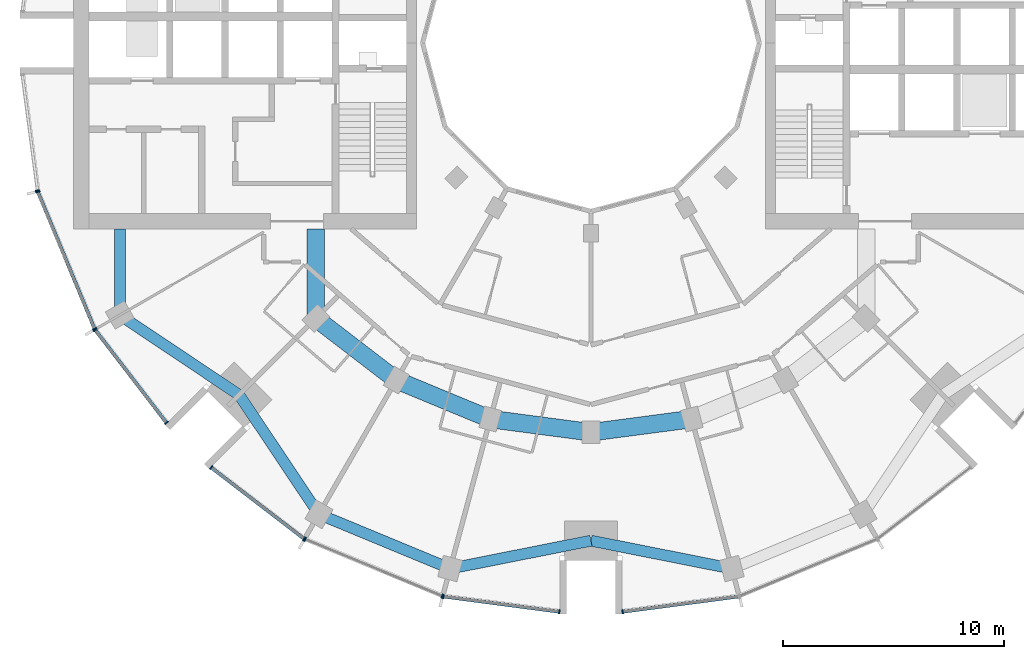
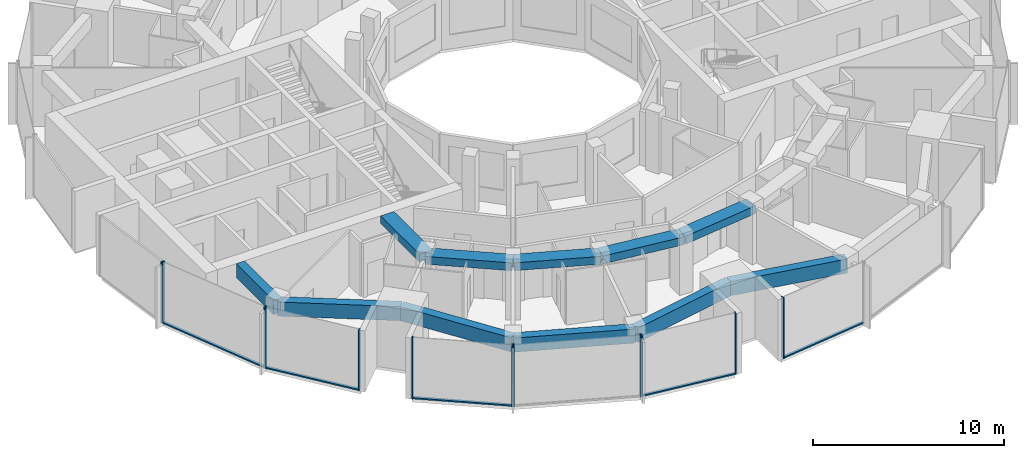
# One storey, part 2 of 15: 17 members, 11 beams, 7 elements without a shape of their own.
"""IFC4 building model written with IfcOpenShell, lengths in metres."""

from ifc_helpers import new_model, si_unit, direction, frame, origin, origin_2d, place, context, subcontext, project, spatial, rectangle, extrude, material, layer, layer_set, material_profile, profile_set, type_object, element, aggregate, save


model = new_model("IFC4")

# Units and contexts
model_context = context("Model", 3, precision=1e-05, world=origin(), true_north=direction((0.0, 1.0)))
body_context = subcontext(model_context, "Body", "Model", "MODEL_VIEW")
ifc_project = project(units=[si_unit("LENGTHUNIT", "METRE"), si_unit("AREAUNIT", "SQUARE_METRE"), si_unit("VOLUMEUNIT", "CUBIC_METRE"), si_unit("PLANEANGLEUNIT", "RADIAN"), si_unit("MASSUNIT", "GRAM", prefix="KILO")], contexts=[model_context])

# Site, building, storey
site_placement = place(None, origin())
site = spatial("IfcSite", under=ifc_project, at=site_placement, CompositionType="ELEMENT")
building_placement = place(site_placement, origin())
building = spatial("IfcBuilding", under=site, at=building_placement, Name="Torre Brocal", CompositionType="ELEMENT")
storey_placement = place(building_placement, frame((0.0, 0.0, 114.60009765625)))
storey = spatial("IfcBuildingStorey", under=building, at=storey_placement, Name="L26", CompositionType="ELEMENT", Elevation=114.60009765625)

# Curtain wall, members
ifc_material_1 = material(Name="Aluminium and glass", Category="aluminium")
ifc_layer_1 = layer(ifc_material_1, 0.199951171875)
ifc_layer_set_1 = layer_set([ifc_layer_1], Name="Aluminium and glass")
curtain_wall_type_1 = type_object("IfcCurtainWallType", Name="CW-1 CURTAIN WALL 3900 HIGH", PredefinedType="NOTDEFINED", material=ifc_layer_set_1)
curtain_wall_1_placement = place(storey_placement, origin())
curtain_wall_1 = element("IfcCurtainWall", 1, at=curtain_wall_1_placement, inside=storey, type_object=curtain_wall_type_1, Name="CW-1 RUN 14", PredefinedType="NOTDEFINED")
ifc_material_2 = material(Name="Aluminium, dark anodised", Category="aluminium")
ifc_material_profile_1 = material_profile(ifc_material_2, rectangle(XDim=0.199951171875, YDim=0.06005859375, at=origin_2d()), Name="CW-1 MULLION 60X200")
ifc_profile_set_1 = profile_set([ifc_material_profile_1], Name="Aluminium, dark anodised")
member_type_1 = type_object("IfcMemberType", Name="CW-1 MULLION 60X200", PredefinedType="MULLION", material=ifc_profile_set_1)
member_1_placement = place(storey_placement, frame((54.994873046875, 68.26904296875, 0.0), z_axis=(0.0, 0.0, 1.0), x_axis=(0.923879532525, 0.382683432333, 0.0)))
member_1 = element("IfcMember", 2, at=member_1_placement, type_object=member_type_1, Name="CW1-3 mullion 1", PredefinedType="MULLION", context=body_context, shape_type="SweptSolid", body=[
    extrude(rectangle(XDim=0.199951171875, YDim=0.06005859375, at=origin_2d()), origin(), (0.0, 0.0, 1.0), 3.89990234375),
])
member_2_placement = place(storey_placement, frame((57.559326171875, 62.078125, 0.0), z_axis=(0.0, 0.0, 1.0), x_axis=(0.923879532525, 0.382683432333, 0.0)))
member_2 = element("IfcMember", 3, at=member_2_placement, type_object=member_type_1, Name="CW1-3 mullion 2", PredefinedType="MULLION", context=body_context, shape_type="SweptSolid", body=[
    extrude(rectangle(XDim=0.199951171875, YDim=0.06005859375, at=origin_2d()), origin(), (0.0, 0.0, 1.0), 3.89990234375),
])

curtain_wall_2_placement = place(storey_placement, origin())
curtain_wall_2 = element("IfcCurtainWall", 4, at=curtain_wall_2_placement, inside=storey, type_object=curtain_wall_type_1, Name="CW-1 RUN 15", PredefinedType="NOTDEFINED")
member_3_placement = place(storey_placement, frame((57.5888671875, 62.026611328125, 0.0), z_axis=(0.0, 0.0, 1.0), x_axis=(0.793353340259, 0.60876142905, 0.0)))
member_3 = element("IfcMember", 5, at=member_3_placement, type_object=member_type_1, Name="CW1-3 mullion 1", PredefinedType="MULLION", context=body_context, shape_type="SweptSolid", body=[
    extrude(rectangle(XDim=0.199951171875, YDim=0.06005859375, at=origin_2d()), origin(), (0.0, 0.0, 1.0), 3.89990234375),
])
member_4_placement = place(storey_placement, frame((60.80859375, 57.83056640625, 0.0), z_axis=(0.0, 0.0, 1.0), x_axis=(0.793353340259, 0.60876142905, 0.0)))
member_4 = element("IfcMember", 6, at=member_4_placement, type_object=member_type_1, Name="CW1-3 mullion 2", PredefinedType="MULLION", context=body_context, shape_type="SweptSolid", body=[
    extrude(rectangle(XDim=0.199951171875, YDim=0.06005859375, at=origin_2d()), origin(), (0.0, 0.0, 1.0), 3.89990234375),
])

curtain_wall_3_placement = place(storey_placement, origin())
curtain_wall_3 = element("IfcCurtainWall", 7, at=curtain_wall_3_placement, inside=storey, type_object=curtain_wall_type_1, Name="CW-1 RUN 16", PredefinedType="NOTDEFINED")
member_5_placement = place(storey_placement, frame((62.83056640625, 55.80859375, 0.0), z_axis=(0.0, 0.0, 1.0), x_axis=(0.60876142905, 0.793353340259, 0.0)))
member_5 = element("IfcMember", 8, at=member_5_placement, type_object=member_type_1, Name="CW1-3 mullion 1", PredefinedType="MULLION", context=body_context, shape_type="SweptSolid", body=[
    extrude(rectangle(XDim=0.199951171875, YDim=0.06005859375, at=origin_2d()), origin(), (0.0, 0.0, 1.0), 3.89990234375),
])
member_6_placement = place(storey_placement, frame((67.026611328125, 52.5888671875, 0.0), z_axis=(0.0, 0.0, 1.0), x_axis=(0.60876142905, 0.793353340259, 0.0)))
member_6 = element("IfcMember", 9, at=member_6_placement, type_object=member_type_1, Name="CW1-3 mullion 2", PredefinedType="MULLION", context=body_context, shape_type="SweptSolid", body=[
    extrude(rectangle(XDim=0.199951171875, YDim=0.06005859375, at=origin_2d()), origin(), (0.0, 0.0, 1.0), 3.89990234375),
])

curtain_wall_4_placement = place(storey_placement, origin())
curtain_wall_4 = element("IfcCurtainWall", 10, at=curtain_wall_4_placement, inside=storey, type_object=curtain_wall_type_1, Name="CW-1 RUN 17", PredefinedType="NOTDEFINED")
member_7_placement = place(storey_placement, frame((67.078125, 52.559326171875, 0.0), z_axis=(0.0, 0.0, 1.0), x_axis=(0.382683432333, 0.923879532525, 0.0)))
member_7 = element("IfcMember", 11, at=member_7_placement, type_object=member_type_1, Name="CW1-3 mullion 1", PredefinedType="MULLION", context=body_context, shape_type="SweptSolid", body=[
    extrude(rectangle(XDim=0.199951171875, YDim=0.06005859375, at=origin_2d()), origin(), (0.0, 0.0, 1.0), 3.89990234375),
])
member_8_placement = place(storey_placement, frame((73.26904296875, 49.994873046875, 0.0), z_axis=(0.0, 0.0, 1.0), x_axis=(0.382683432333, 0.923879532525, 0.0)))
member_8 = element("IfcMember", 12, at=member_8_placement, type_object=member_type_1, Name="CW1-3 mullion 2", PredefinedType="MULLION", context=body_context, shape_type="SweptSolid", body=[
    extrude(rectangle(XDim=0.199951171875, YDim=0.06005859375, at=origin_2d()), origin(), (0.0, 0.0, 1.0), 3.89990234375),
])
aggregate(curtain_wall_4, [member_7, member_8])

curtain_wall_5_placement = place(storey_placement, origin())
curtain_wall_5 = element("IfcCurtainWall", 13, at=curtain_wall_5_placement, inside=storey, type_object=curtain_wall_type_1, Name="CW-1 RUN 18", PredefinedType="NOTDEFINED")
member_9_placement = place(storey_placement, frame((73.32666015625, 49.9794921875, 0.0), z_axis=(0.0, 0.0, 1.0), x_axis=(0.13052619222, 0.991444861374, 0.0)))
member_9 = element("IfcMember", 14, at=member_9_placement, type_object=member_type_1, Name="CW1-3 mullion 1", PredefinedType="MULLION", context=body_context, shape_type="SweptSolid", body=[
    extrude(rectangle(XDim=0.199951171875, YDim=0.06005859375, at=origin_2d()), origin(), (0.0, 0.0, 1.0), 3.89990234375),
])
member_10_placement = place(storey_placement, frame((78.5703125, 49.2890625, 0.0), z_axis=(0.0, 0.0, 1.0), x_axis=(0.13052619222, 0.991444861374, 0.0)))
member_10 = element("IfcMember", 15, at=member_10_placement, type_object=member_type_1, Name="CW1-3 mullion 2", PredefinedType="MULLION", context=body_context, shape_type="SweptSolid", body=[
    extrude(rectangle(XDim=0.199951171875, YDim=0.06005859375, at=origin_2d()), origin(), (0.0, 0.0, 1.0), 3.89990234375),
])

# Curtain wall, member
curtain_wall_6_placement = place(storey_placement, origin())
curtain_wall_6 = element("IfcCurtainWall", 16, at=curtain_wall_6_placement, inside=storey, type_object=curtain_wall_type_1, Name="CW-1 RUN 19", PredefinedType="NOTDEFINED")
member_11_placement = place(storey_placement, frame((81.4296875, 49.2890625, 0.0), z_axis=(0.0, 0.0, 1.0), x_axis=(-0.13052619222, 0.991444861374, 0.0)))
member_11 = element("IfcMember", 17, at=member_11_placement, type_object=member_type_1, Name="CW1-3 mullion 1", PredefinedType="MULLION", context=body_context, shape_type="SweptSolid", body=[
    extrude(rectangle(XDim=0.199951171875, YDim=0.06005859375, at=origin_2d()), origin(), (0.0, 0.0, 1.0), 3.89990234375),
])

# Member
ifc_material_3 = material(Name="Aluminium, dark anodised", Category="aluminium")
ifc_material_profile_2 = material_profile(ifc_material_3, rectangle(XDim=0.159912109375, YDim=0.080078125, at=origin_2d()), Name="CW-1 TRANSOM 160X80")
ifc_profile_set_2 = profile_set([ifc_material_profile_2], Name="Aluminium, dark anodised")
member_type_2 = type_object("IfcMemberType", Name="CW-1 TRANSOM 160X80", PredefinedType="USERDEFINED", material=ifc_profile_set_2)
member_12_placement = place(storey_placement, frame((55.00634765625, 68.241455078125, 0.039794921875), z_axis=(0.38266457234, -0.923887344364, 0.0), x_axis=(0.923887344364, 0.38266457234, 0.0)))
member_12 = element("IfcMember", 18, at=member_12_placement, type_object=member_type_2, Name="CW1-3 transom 1.1", ObjectType="TRANSOM", PredefinedType="USERDEFINED", context=body_context, shape_type="SweptSolid", body=[
    extrude(rectangle(XDim=0.159912109375, YDim=0.080078125, at=origin_2d()), origin(), (0.0, 0.0, 1.0), 6.640869140625),
])

aggregate(curtain_wall_1, [member_1, member_2, member_12])

member_13_placement = place(storey_placement, frame((57.607177734375, 62.0029296875, 0.039794921875), z_axis=(0.60874908096, -0.79336281513, 0.0), x_axis=(0.79336281513, 0.60874908096, 0.0)))
member_13 = element("IfcMember", 19, at=member_13_placement, type_object=member_type_2, Name="CW1-3 transom 1.1", ObjectType="TRANSOM", PredefinedType="USERDEFINED", context=body_context, shape_type="SweptSolid", body=[
    extrude(rectangle(XDim=0.159912109375, YDim=0.080078125, at=origin_2d()), origin(), (0.0, 0.0, 1.0), 5.22900390625),
])

aggregate(curtain_wall_2, [member_3, member_4, member_13])

member_14_placement = place(storey_placement, frame((62.8544921875, 55.790283203125, 0.039794921875), z_axis=(0.79336281513, -0.60874908096, 0.0), x_axis=(0.60874908096, 0.79336281513, 0.0)))
member_14 = element("IfcMember", 20, at=member_14_placement, type_object=member_type_2, Name="CW1-3 transom 1.1", ObjectType="TRANSOM", PredefinedType="USERDEFINED", context=body_context, shape_type="SweptSolid", body=[
    extrude(rectangle(XDim=0.159912109375, YDim=0.080078125, at=origin_2d()), origin(), (0.0, 0.0, 1.0), 5.22900390625),
])

aggregate(curtain_wall_3, [member_5, member_6, member_14])

member_15_placement = place(storey_placement, frame((73.356201171875, 49.9755859375, 0.039794921875), z_axis=(0.991442690863, -0.130542677827, 0.0), x_axis=(0.130542677827, 0.991442690863, 0.0)))
member_15 = element("IfcMember", 21, at=member_15_placement, type_object=member_type_2, Name="CW1-3 transom 1.1", ObjectType="TRANSOM", PredefinedType="USERDEFINED", context=body_context, shape_type="SweptSolid", body=[
    extrude(rectangle(XDim=0.159912109375, YDim=0.080078125, at=origin_2d()), origin(), (0.0, 0.0, 1.0), 5.22900390625),
])

aggregate(curtain_wall_5, [member_9, member_10, member_15])

member_16_placement = place(storey_placement, frame((81.45947265625, 49.29296875, 0.039794921875), z_axis=(0.991442690863, 0.130542677827, 0.0), x_axis=(-0.130542677827, 0.991442690863, 0.0)))
member_16 = element("IfcMember", 22, at=member_16_placement, type_object=member_type_2, Name="CW1-3 transom 1.1", ObjectType="TRANSOM", PredefinedType="USERDEFINED", context=body_context, shape_type="SweptSolid", body=[
    extrude(rectangle(XDim=0.159912109375, YDim=0.080078125, at=origin_2d()), origin(), (0.0, 0.0, 1.0), 5.22900390625),
])

aggregate(curtain_wall_6, [member_11, member_16])

# Curtain wall, member
ifc_material_4 = material(Name="Aluminium and glass", Category="aluminium")
ifc_layer_2 = layer(ifc_material_4, 0.199951171875)
ifc_layer_set_2 = layer_set([ifc_layer_2], Name="Aluminium and glass")
curtain_wall_type_2 = type_object("IfcCurtainWallType", Name="CW-1B CURTAIN WALL 3900 HIGH", PredefinedType="NOTDEFINED", material=ifc_layer_set_2)
curtain_wall_7_placement = place(storey_placement, origin())
curtain_wall_7 = element("IfcCurtainWall", 23, at=curtain_wall_7_placement, inside=storey, type_object=curtain_wall_type_2, Name="CW-1B RUN 13", PredefinedType="NOTDEFINED")
ifc_material_5 = material(Name="Aluminium, dark anodised", Category="aluminium")
ifc_material_profile_3 = material_profile(ifc_material_5, rectangle(XDim=0.199951171875, YDim=0.06005859375, at=origin_2d()), Name="CW-1B MULLION 60X200")
ifc_profile_set_3 = profile_set([ifc_material_profile_3], Name="Aluminium, dark anodised")
member_type_3 = type_object("IfcMemberType", Name="CW-1B MULLION 60X200", PredefinedType="MULLION", material=ifc_profile_set_3)
member_17_placement = place(storey_placement, frame((54.9794921875, 68.32666015625, 0.0), z_axis=(0.0, 0.0, 1.0), x_axis=(0.991444861374, 0.13052619222, 0.0)))
member_17 = element("IfcMember", 24, at=member_17_placement, type_object=member_type_3, Name="CW1B-3 mullion 2", PredefinedType="MULLION", context=body_context, shape_type="SweptSolid", body=[
    extrude(rectangle(XDim=0.199951171875, YDim=0.06005859375, at=origin_2d()), origin(), (0.0, 0.0, 1.0), 3.89990234375),
])
aggregate(curtain_wall_7, [member_17])

# Beams
ifc_material_6 = material(Name="Concrete C50", Category="concrete")
ifc_material_profile_4 = material_profile(ifc_material_6, rectangle(XDim=0.800048828125, YDim=0.5, at=origin_2d()), Name="RC 800X500")
ifc_profile_set_4 = profile_set([ifc_material_profile_4], Name="Concrete C50")
beam_type_1 = type_object("IfcBeamType", Name="RC BEAM 800X500 C50 TOP 3580", PredefinedType="BEAM", material=ifc_profile_set_4)
beam_1_placement = place(storey_placement, frame((67.554931640625, 62.554931640625, 3.329833984375), z_axis=(0.0, 1.0, 0.0), x_axis=(-1.0, 0.0, 0.0)))
element("IfcBeam", 25, at=beam_1_placement, inside=storey, type_object=beam_type_1, Name="Beam BT-28", PredefinedType="BEAM", context=body_context, shape_type="SweptSolid", body=[
    extrude(rectangle(XDim=0.800048828125, YDim=0.5, at=origin_2d()), origin(), (0.0, 0.0, 1.0), 4.045166015625),
])
beam_2_placement = place(storey_placement, frame((67.554931640625, 62.554931640625, 3.329833984375), z_axis=(0.793358265959, -0.6087550097, 0.0), x_axis=(0.6087550097, 0.793358265959, 0.0)))
element("IfcBeam", 26, at=beam_2_placement, inside=storey, type_object=beam_type_1, Name="Beam BT-28", PredefinedType="BEAM", context=body_context, shape_type="SweptSolid", body=[
    extrude(rectangle(XDim=0.800048828125, YDim=0.5, at=origin_2d()), origin(), (0.0, 0.0, 1.0), 4.594482421875),
])
beam_3_placement = place(storey_placement, frame((71.199951171875, 59.758056640625, 3.329833984375), z_axis=(0.923878240166, -0.382686552348, 0.0), x_axis=(0.382686552348, 0.923878240166, 0.0)))
element("IfcBeam", 27, at=beam_3_placement, inside=storey, type_object=beam_type_1, Name="Beam BT-28", PredefinedType="BEAM", context=body_context, shape_type="SweptSolid", body=[
    extrude(rectangle(XDim=0.800048828125, YDim=0.5, at=origin_2d()), origin(), (0.0, 0.0, 1.0), 4.5947265625),
])
for number, where, z_axis, x_axis, name in (
    (28, (75.44482421875, 57.999755859375, 3.329833984375), (0.991440544449, -0.130558978332, 0.0), (0.130558978332, 0.991440544449, 0.0), "Beam BT-28"),
    (29, (80.0, 57.39990234375, 3.329833984375), (0.991440544449, 0.130558978332, 0.0), (-0.130558978332, 0.991440544449, 0.0), "Beam BT-28"),
):
    element("IfcBeam", number, at=place(storey_placement, frame(where, z_axis=z_axis, x_axis=x_axis)), inside=storey, type_object=beam_type_1, Name=name, PredefinedType="BEAM", context=body_context, shape_type="SweptSolid", body=[
        extrude(rectangle(XDim=0.800048828125, YDim=0.5, at=origin_2d()), origin(), (0.0, 0.0, 1.0), 4.594482421875),
    ])
ifc_material_7 = material(Name="Concrete C50", Category="concrete")
ifc_material_profile_5 = material_profile(ifc_material_7, rectangle(XDim=0.5, YDim=0.89990234375, at=origin_2d()), Name="RC 500X900")
ifc_profile_set_5 = profile_set([ifc_material_profile_5], Name="Concrete C50")
beam_type_2 = type_object("IfcBeamType", Name="RC SPANDREL BEAM 500X900 C50 TOP 3580", PredefinedType="SPANDREL", material=ifc_profile_set_5)
beam_4_placement = place(storey_placement, frame((58.69580078125, 62.699951171875, 3.1298828125), z_axis=(0.0, 1.0, 0.0), x_axis=(-1.0, 0.0, 0.0)))
element("IfcBeam", 30, at=beam_4_placement, inside=storey, type_object=beam_type_2, Name="Beam BT-29", PredefinedType="SPANDREL", context=body_context, shape_type="SweptSolid", body=[
    extrude(rectangle(XDim=0.5, YDim=0.89990234375, at=origin_2d()), origin(), (0.0, 0.0, 1.0), 3.900146484375),
])
for number, where, z_axis, x_axis, name in (
    (31, (58.69580078125, 62.699951171875, 3.1298828125), (0.831076844476, -0.556157602282, 0.0), (0.556157602282, 0.831076844476, 0.0), "Beam BT-29"),
    (32, (64.090087890625, 59.090087890625, 3.1298828125), (0.556157602282, -0.831076844476, 0.0), (0.831076844476, 0.556157602282, 0.0), "Beam BT-29"),
):
    element("IfcBeam", number, at=place(storey_placement, frame(where, z_axis=z_axis, x_axis=x_axis)), inside=storey, type_object=beam_type_2, Name=name, PredefinedType="SPANDREL", context=body_context, shape_type="SweptSolid", body=[
        extrude(rectangle(XDim=0.5, YDim=0.89990234375, at=origin_2d()), origin(), (0.0, 0.0, 1.0), 6.49072265625),
    ])
beam_5_placement = place(storey_placement, frame((67.699951171875, 53.69580078125, 3.1298828125), z_axis=(0.923882462513, -0.382676358639, 0.0), x_axis=(0.382676358639, 0.923882462513, 0.0)))
element("IfcBeam", 33, at=beam_5_placement, inside=storey, type_object=beam_type_2, Name="Beam BT-29", PredefinedType="SPANDREL", context=body_context, shape_type="SweptSolid", body=[
    extrude(rectangle(XDim=0.5, YDim=0.89990234375, at=origin_2d()), origin(), (0.0, 0.0, 1.0), 6.421875),
])
for number, where, z_axis, x_axis, name in (
    (34, (73.633056640625, 51.23828125, 3.1298828125), (0.980924907484, 0.194387051723, 0.0), (-0.194387051723, 0.980924907484, 0.0), "Beam BT-29"),
    (35, (80.0, 52.5, 3.1298828125), (0.980924907484, -0.194387051723, 0.0), (0.194387051723, 0.980924907484, 0.0), "Beam BT-29"),
):
    element("IfcBeam", number, at=place(storey_placement, frame(where, z_axis=z_axis, x_axis=x_axis)), inside=storey, type_object=beam_type_2, Name=name, PredefinedType="SPANDREL", context=body_context, shape_type="SweptSolid", body=[
        extrude(rectangle(XDim=0.5, YDim=0.89990234375, at=origin_2d()), origin(), (0.0, 0.0, 1.0), 6.49072265625),
    ])

save(model, "model.ifc")
